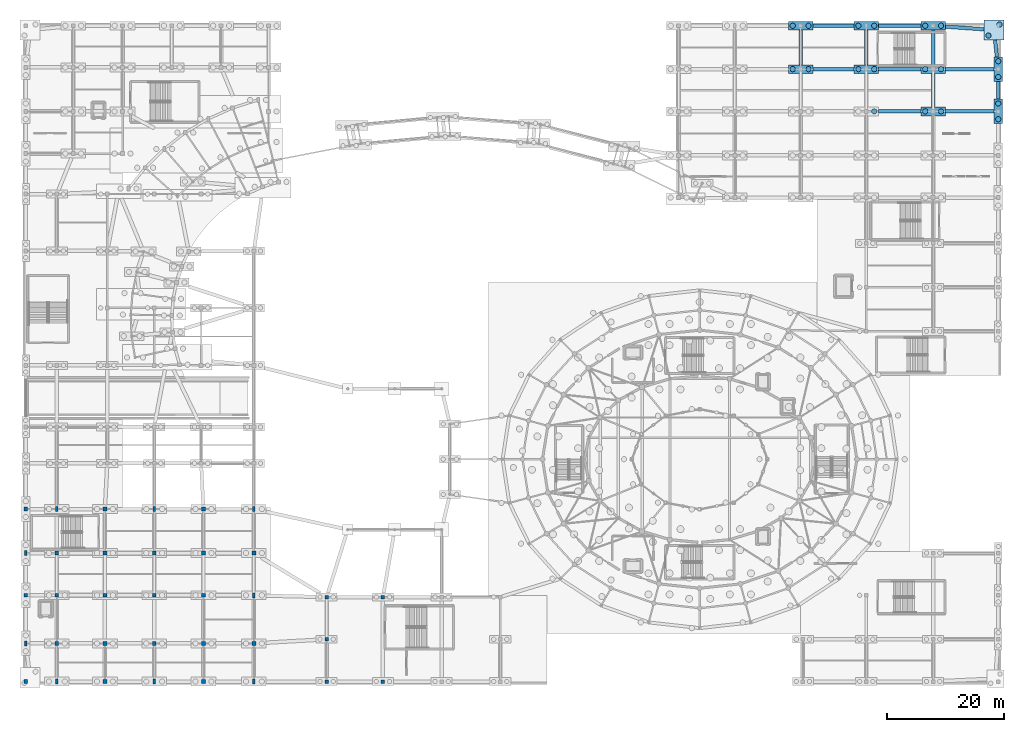
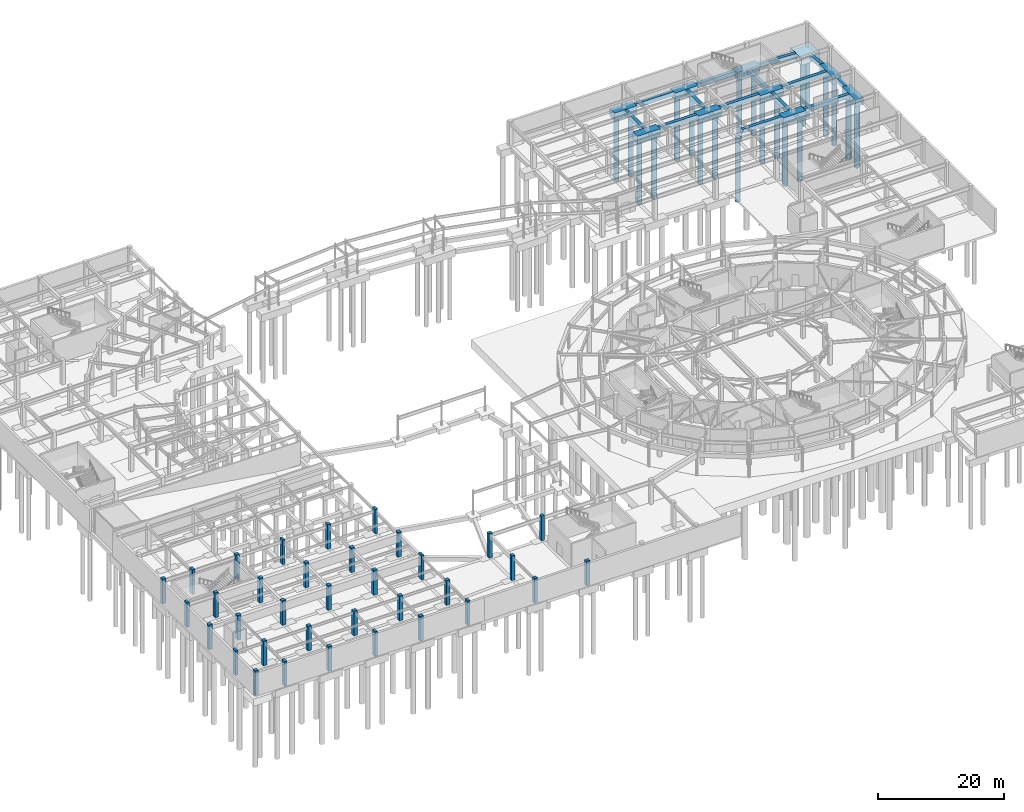
# One storey, part 8 of 68: 35 columns, 24 footings, 21 piles.
"""IFC4 building model written with IfcOpenShell, lengths in metres."""

from ifc_helpers import new_model, si_unit, direction, frame, origin, origin_2d, place, context, subcontext, project, spatial, rectangle, circle, extrude, material, layer, layer_set, material_profile, profile_set, type_object, element, save


model = new_model("IFC4")

# Units and contexts
model_context = context("Model", 3, precision=1e-05, world=origin(), true_north=direction((0.0, 1.0)))
body_context = subcontext(model_context, "Body", "Model", "MODEL_VIEW")
ifc_project = project(units=[si_unit("LENGTHUNIT", "METRE"), si_unit("AREAUNIT", "SQUARE_METRE"), si_unit("VOLUMEUNIT", "CUBIC_METRE"), si_unit("PLANEANGLEUNIT", "RADIAN"), si_unit("MASSUNIT", "GRAM", prefix="KILO")], contexts=[model_context])

# Site, building, storey
site_placement = place(None, origin())
site = spatial("IfcSite", under=ifc_project, at=site_placement, CompositionType="ELEMENT")
building_placement = place(site_placement, origin())
building = spatial("IfcBuilding", under=site, at=building_placement, Name="Cinderbank Siding Concert Hall", CompositionType="ELEMENT")
storey_placement = place(building_placement, frame((0.0, 0.0, -4.800048828125)))
storey = spatial("IfcBuildingStorey", under=building, at=storey_placement, Name="B1", CompositionType="ELEMENT", Elevation=-4.800048828125)

# Piles
ifc_material_1 = material(Name="Reinforced concrete AS 3600 N40 (40 MPa)", Category="concrete")
ifc_material_profile_1 = material_profile(ifc_material_1, circle(Radius=0.449951171875, at=origin_2d()), Name="PILE-900DIA", Category="LoadBearing")
ifc_profile_set_1 = profile_set([ifc_material_profile_1], Name="Reinforced concrete AS 3600 N40 (40 MPa)")
pile_type = type_object("IfcPileType", Name="BP-900 Bored Pile 900mm", PredefinedType="BORED", material=ifc_profile_set_1)
for number, where, z_axis, x_axis, name in (
    (1, (137.85009765625, 110.5, -1.300048828125), (0.0, 0.0, -1.0), (1.0, 0.0, 0.0), "Bored Pile BP-900 #309"),
    (2, (140.550048828125, 110.5, -1.300048828125), (0.0, 0.0, -1.0), (1.0, 0.0, 0.0), "Bored Pile BP-900 #310"),
    (3, (137.85009765625, 117.89990234375, -1.300048828125), (0.0, 0.0, -1.0), (1.0, 0.0, 0.0), "Bored Pile BP-900 #311"),
    (4, (140.550048828125, 117.89990234375, -1.300048828125), (0.0, 0.0, -1.0), (1.0, 0.0, 0.0), "Bored Pile BP-900 #312"),
    (5, (151.75, 103.300048828125, -1.300048828125), (0.0, 0.0, -1.0), (1.0, 0.0, 0.0), "Bored Pile BP-900 #318"),
    (6, (149.050048828125, 110.5, -1.300048828125), (0.0, 0.0, -1.0), (1.0, 0.0, 0.0), "Bored Pile BP-900 #319"),
    (7, (151.75, 110.5, -1.300048828125), (0.0, 0.0, -1.0), (1.0, 0.0, 0.0), "Bored Pile BP-900 #320"),
    (8, (149.050048828125, 117.89990234375, -1.300048828125), (0.0, 0.0, -1.0), (1.0, 0.0, 0.0), "Bored Pile BP-900 #321"),
    (9, (151.75, 117.89990234375, -1.300048828125), (0.0, 0.0, -1.0), (1.0, 0.0, 0.0), "Bored Pile BP-900 #322"),
    (10, (160.449951171875, 103.300048828125, -1.300048828125), (0.0, 0.0, -1.0), (1.0, 0.0, 0.0), "Bored Pile BP-900 #327"),
    (11, (163.14990234375, 103.300048828125, -1.300048828125), (0.0, 0.0, -1.0), (1.0, 0.0, 0.0), "Bored Pile BP-900 #328"),
    (12, (160.449951171875, 110.5, -1.300048828125), (0.0, 0.0, -1.0), (1.0, 0.0, 0.0), "Bored Pile BP-900 #329"),
    (13, (163.14990234375, 110.5, -1.300048828125), (0.0, 0.0, -1.0), (1.0, 0.0, 0.0), "Bored Pile BP-900 #330"),
    (14, (160.449951171875, 117.89990234375, -1.300048828125), (0.0, 0.0, -1.0), (1.0, 0.0, 0.0), "Bored Pile BP-900 #331"),
    (15, (163.14990234375, 117.89990234375, -1.300048828125), (0.0, 0.0, -1.0), (1.0, 0.0, 0.0), "Bored Pile BP-900 #332"),
    (16, (172.89990234375, 101.949951171875, -1.300048828125), (0.0, 0.0, -1.0), (1.0, 0.0, 0.0), "Bored Pile BP-900 #337"),
    (17, (172.89990234375, 104.64990234375, -1.300048828125), (0.0, 0.0, -1.0), (1.0, 0.0, 0.0), "Bored Pile BP-900 #338"),
    (18, (172.89990234375, 109.14990234375, -1.300048828125), (0.0, 0.0, -1.0), (1.0, 0.0, 0.0), "Bored Pile BP-900 #339"),
    (19, (172.89990234375, 111.85009765625, -1.300048828125), (0.0, 0.0, -1.0), (1.0, 0.0, 0.0), "Bored Pile BP-900 #340"),
    (20, (171.219970703125, 116.219970703125, -1.300048828125), (0.0, 0.0, -1.0), (1.0, 0.0, 0.0), "Bored Pile BP-900 #341"),
    (21, (173.1298828125, 118.1298828125, -1.300048828125), (0.0, 0.0, -1.0), (1.0, 0.0, 0.0), "Bored Pile BP-900 #342"),
):
    element("IfcPile", number, at=place(storey_placement, frame(where, z_axis=z_axis, x_axis=x_axis)), inside=storey, type_object=pile_type, Name=name, PredefinedType="BORED", context=body_context, shape_type="SweptSolid", body=[
        extrude(circle(Radius=0.449951171875, at=origin_2d()), origin(), (0.0, 0.0, 1.0), 12.39990234375),
    ])

# Footings
ifc_material_profile_2 = material_profile(ifc_material_1, rectangle(XDim=0.60009765625, YDim=0.800048828125, at=origin_2d()), Name="RC-FB-600x800", Category="LoadBearing")
ifc_profile_set_2 = profile_set([ifc_material_profile_2], Name="Reinforced concrete AS 3600 N40 (40 MPa)")
footing_type_1 = type_object("IfcFootingType", Name="FB-01 Tie Beam 600x800", PredefinedType="FOOTING_BEAM", material=ifc_profile_set_2)
footing_1_placement = place(storey_placement, frame((141.284912109375, 110.5, -0.39990234375), z_axis=(1.0, 0.0, 0.0), x_axis=(0.0, 1.0, 0.0)))
element("IfcFooting", 22, at=footing_1_placement, inside=storey, type_object=footing_type_1, Name="Foundation Tie Beam #102", PredefinedType="FOOTING_BEAM", context=body_context, shape_type="SweptSolid", body=[
    extrude(rectangle(XDim=0.60009765625, YDim=0.800048828125, at=origin_2d()), origin(), (0.0, 0.0, 1.0), 7.030029296875),
])
footing_2_placement = place(storey_placement, frame((139.199951171875, 111.235107421875, -0.39990234375), z_axis=(0.0, 1.0, 0.0), x_axis=(-1.0, 0.0, 0.0)))
element("IfcFooting", 23, at=footing_2_placement, inside=storey, type_object=footing_type_1, Name="Foundation Tie Beam #103", PredefinedType="FOOTING_BEAM", context=body_context, shape_type="SweptSolid", body=[
    extrude(rectangle(XDim=0.60009765625, YDim=0.800048828125, at=origin_2d()), origin(), (0.0, 0.0, 1.0), 5.929931640625),
])
footing_3_placement = place(storey_placement, frame((141.284912109375, 117.89990234375, -0.39990234375), z_axis=(1.0, 0.0, 0.0), x_axis=(0.0, 1.0, 0.0)))
element("IfcFooting", 24, at=footing_3_placement, inside=storey, type_object=footing_type_1, Name="Foundation Tie Beam #104", PredefinedType="FOOTING_BEAM", context=body_context, shape_type="SweptSolid", body=[
    extrude(rectangle(XDim=0.60009765625, YDim=0.800048828125, at=origin_2d()), origin(), (0.0, 0.0, 1.0), 7.030029296875),
])
for number, where, z_axis, x_axis, name in (
    (25, (152.485107421875, 103.300048828125, -0.39990234375), (1.0, 0.0, 0.0), (0.0, 1.0, 0.0), "Foundation Tie Beam #109"),
    (26, (152.485107421875, 110.5, -0.39990234375), (1.0, 0.0, 0.0), (0.0, 1.0, 0.0), "Foundation Tie Beam #111"),
):
    element("IfcFooting", number, at=place(storey_placement, frame(where, z_axis=z_axis, x_axis=x_axis)), inside=storey, type_object=footing_type_1, Name=name, PredefinedType="FOOTING_BEAM", context=body_context, shape_type="SweptSolid", body=[
        extrude(rectangle(XDim=0.60009765625, YDim=0.800048828125, at=origin_2d()), origin(), (0.0, 0.0, 1.0), 7.22998046875),
    ])
footing_4_placement = place(storey_placement, frame((150.39990234375, 111.235107421875, -0.39990234375), z_axis=(0.0, 1.0, 0.0), x_axis=(-1.0, 0.0, 0.0)))
element("IfcFooting", 27, at=footing_4_placement, inside=storey, type_object=footing_type_1, Name="Foundation Tie Beam #112", PredefinedType="FOOTING_BEAM", context=body_context, shape_type="SweptSolid", body=[
    extrude(rectangle(XDim=0.60009765625, YDim=0.800048828125, at=origin_2d()), origin(), (0.0, 0.0, 1.0), 5.929931640625),
])
footing_5_placement = place(storey_placement, frame((152.485107421875, 117.89990234375, -0.39990234375), z_axis=(1.0, 0.0, 0.0), x_axis=(0.0, 1.0, 0.0)))
element("IfcFooting", 28, at=footing_5_placement, inside=storey, type_object=footing_type_1, Name="Foundation Tie Beam #113", PredefinedType="FOOTING_BEAM", context=body_context, shape_type="SweptSolid", body=[
    extrude(rectangle(XDim=0.60009765625, YDim=0.800048828125, at=origin_2d()), origin(), (0.0, 0.0, 1.0), 7.22998046875),
])
footing_6_placement = place(storey_placement, frame((163.885009765625, 103.300048828125, -0.39990234375), z_axis=(1.0, 0.0, 0.0), x_axis=(0.0, 1.0, 0.0)))
element("IfcFooting", 29, at=footing_6_placement, inside=storey, type_object=footing_type_1, Name="Foundation Tie Beam #118", PredefinedType="FOOTING_BEAM", context=body_context, shape_type="SweptSolid", body=[
    extrude(rectangle(XDim=0.60009765625, YDim=0.800048828125, at=origin_2d()), origin(), (0.0, 0.0, 1.0), 8.280029296875),
])
footing_7_placement = place(storey_placement, frame((161.800048828125, 104.034912109375, -0.39990234375), z_axis=(0.0, 1.0, 0.0), x_axis=(-1.0, 0.0, 0.0)))
element("IfcFooting", 30, at=footing_7_placement, inside=storey, type_object=footing_type_1, Name="Foundation Tie Beam #119", PredefinedType="FOOTING_BEAM", context=body_context, shape_type="SweptSolid", body=[
    extrude(rectangle(XDim=0.60009765625, YDim=0.800048828125, at=origin_2d()), origin(), (0.0, 0.0, 1.0), 5.72998046875),
])
footing_8_placement = place(storey_placement, frame((163.885009765625, 110.5, -0.39990234375), z_axis=(1.0, 0.0, 0.0), x_axis=(0.0, 1.0, 0.0)))
element("IfcFooting", 31, at=footing_8_placement, inside=storey, type_object=footing_type_1, Name="Foundation Tie Beam #120", PredefinedType="FOOTING_BEAM", context=body_context, shape_type="SweptSolid", body=[
    extrude(rectangle(XDim=0.60009765625, YDim=0.800048828125, at=origin_2d()), origin(), (0.0, 0.0, 1.0), 8.280029296875),
])
footing_9_placement = place(storey_placement, frame((161.800048828125, 111.235107421875, -0.39990234375), z_axis=(0.0, 1.0, 0.0), x_axis=(-1.0, 0.0, 0.0)))
element("IfcFooting", 32, at=footing_9_placement, inside=storey, type_object=footing_type_1, Name="Foundation Tie Beam #121", PredefinedType="FOOTING_BEAM", context=body_context, shape_type="SweptSolid", body=[
    extrude(rectangle(XDim=0.60009765625, YDim=0.800048828125, at=origin_2d()), origin(), (0.0, 0.0, 1.0), 5.929931640625),
])
footing_10_placement = place(storey_placement, frame((163.885009765625, 117.75439453125, -0.39990234375), z_axis=(0.997567647503, -0.069705011694, 0.0), x_axis=(0.069705011694, 0.997567647503, 0.0)))
element("IfcFooting", 33, at=footing_10_placement, inside=storey, type_object=footing_type_1, Name="Foundation Tie Beam #122", PredefinedType="FOOTING_BEAM", context=body_context, shape_type="SweptSolid", body=[
    extrude(rectangle(XDim=0.60009765625, YDim=0.800048828125, at=origin_2d()), origin(), (0.0, 0.0, 1.0), 6.6162109375),
])
footing_11_placement = place(storey_placement, frame((172.89990234375, 105.385009765625, -0.39990234375), z_axis=(0.0, 1.0, 0.0), x_axis=(-1.0, 0.0, 0.0)))
element("IfcFooting", 34, at=footing_11_placement, inside=storey, type_object=footing_type_1, Name="Foundation Tie Beam #125", PredefinedType="FOOTING_BEAM", context=body_context, shape_type="SweptSolid", body=[
    extrude(rectangle(XDim=0.60009765625, YDim=0.800048828125, at=origin_2d()), origin(), (0.0, 0.0, 1.0), 3.030029296875),
])
footing_12_placement = place(storey_placement, frame((172.673583984375, 112.585205078125, -0.39990234375), z_axis=(-0.10797825214, 0.994153256327, 0.0), x_axis=(-0.994153256327, -0.10797825214, 0.0)))
element("IfcFooting", 35, at=footing_12_placement, inside=storey, type_object=footing_type_1, Name="Foundation Tie Beam #126", PredefinedType="FOOTING_BEAM", context=body_context, shape_type="SweptSolid", body=[
    extrude(rectangle(XDim=0.60009765625, YDim=0.800048828125, at=origin_2d()), origin(), (0.0, 0.0, 1.0), 2.916748046875),
])
ifc_layer_1 = layer(ifc_material_1, 1.39990234375)
ifc_layer_set_1 = layer_set([ifc_layer_1], Name="Reinforced concrete AS 3600 N40 (40 MPa)")
footing_type_2 = type_object("IfcFootingType", Name="PC-05 Pile Cap 4200x1500x1400", PredefinedType="PILE_CAP", material=ifc_layer_set_1)
for number, where, z_axis, x_axis, name in (
    (36, (139.199951171875, 110.5, -1.39990234375), (0.0, 0.0, 1.0), (1.0, 0.0, 0.0), "Pile Cap PC-05 #60"),
    (37, (139.199951171875, 117.89990234375, -1.39990234375), (0.0, 0.0, 1.0), (1.0, 0.0, 0.0), "Pile Cap PC-05 #61"),
    (38, (150.39990234375, 110.5, -1.39990234375), (0.0, 0.0, 1.0), (1.0, 0.0, 0.0), "Pile Cap PC-05 #65"),
    (39, (150.39990234375, 117.89990234375, -1.39990234375), (0.0, 0.0, 1.0), (1.0, 0.0, 0.0), "Pile Cap PC-05 #66"),
    (40, (161.800048828125, 103.300048828125, -1.39990234375), (0.0, 0.0, 1.0), (1.0, 0.0, 0.0), "Pile Cap PC-05 #69"),
    (41, (161.800048828125, 110.5, -1.39990234375), (0.0, 0.0, 1.0), (1.0, 0.0, 0.0), "Pile Cap PC-05 #70"),
    (42, (161.800048828125, 117.89990234375, -1.39990234375), (0.0, 0.0, 1.0), (1.0, 0.0, 0.0), "Pile Cap PC-05 #71"),
):
    element("IfcFooting", number, at=place(storey_placement, frame(where, z_axis=z_axis, x_axis=x_axis)), inside=storey, type_object=footing_type_2, Name=name, PredefinedType="PILE_CAP", context=body_context, shape_type="SweptSolid", body=[
        extrude(rectangle(XDim=4.199951171875, YDim=1.5, at=origin_2d()), origin(), (0.0, 0.0, 1.0), 1.39990234375),
    ])
ifc_layer_2 = layer(ifc_material_1, 1.39990234375)
ifc_layer_set_2 = layer_set([ifc_layer_2], Name="Reinforced concrete AS 3600 N40 (40 MPa)")
footing_type_3 = type_object("IfcFootingType", Name="PC-10 Pile Cap 3410x3410x1400", PredefinedType="PILE_CAP", material=ifc_layer_set_2)
footing_13_placement = place(storey_placement, frame((172.175048828125, 117.175048828125, -1.39990234375), z_axis=(0.0, 0.0, 1.0), x_axis=(1.0, 0.0, 0.0)))
element("IfcFooting", 43, at=footing_13_placement, inside=storey, type_object=footing_type_3, Name="Pile Cap PC-10 #76", PredefinedType="PILE_CAP", context=body_context, shape_type="SweptSolid", body=[
    extrude(rectangle(XDim=3.409912109375, YDim=3.409912109375, at=origin_2d()), origin(), (0.0, 0.0, 1.0), 1.39990234375),
])
ifc_layer_3 = layer(ifc_material_1, 1.39990234375)
ifc_layer_set_3 = layer_set([ifc_layer_3], Name="Reinforced concrete AS 3600 N40 (40 MPa)")
footing_type_4 = type_object("IfcFootingType", Name="PC-11 Pile Cap 1500x4200x1400", PredefinedType="PILE_CAP", material=ifc_layer_set_3)
for number, where, z_axis, x_axis, name in (
    (44, (172.89990234375, 103.300048828125, -1.39990234375), (0.0, 0.0, 1.0), (1.0, 0.0, 0.0), "Pile Cap PC-11 #74"),
    (45, (172.89990234375, 110.5, -1.39990234375), (0.0, 0.0, 1.0), (1.0, 0.0, 0.0), "Pile Cap PC-11 #75"),
):
    element("IfcFooting", number, at=place(storey_placement, frame(where, z_axis=z_axis, x_axis=x_axis)), inside=storey, type_object=footing_type_4, Name=name, PredefinedType="PILE_CAP", context=body_context, shape_type="SweptSolid", body=[
        extrude(rectangle(XDim=1.5, YDim=4.199951171875, at=origin_2d()), origin(), (0.0, 0.0, 1.0), 1.39990234375),
    ])

# Columns
ifc_material_2 = material(Name="Reinforced concrete AS 3600 N50 (50 MPa)", Category="concrete")
ifc_material_profile_3 = material_profile(ifc_material_2, rectangle(XDim=0.60009765625, YDim=0.60009765625, at=origin_2d()), Name="RC-COL-600x600", Category="LoadBearing")
ifc_profile_set_3 = profile_set([ifc_material_profile_3], Name="Reinforced concrete AS 3600 N50 (50 MPa)")
column_type_1 = type_object("IfcColumnType", Name="C-RC600 RC-COL-600x600", PredefinedType="COLUMN", material=ifc_profile_set_3)
for number, where, z_axis, x_axis, name in (
    (46, (58.39990234375, 6.10009765625, 0.0), (0.0, 0.0, 1.0), (1.0, 0.0, 0.0), "B1 Column COL-SL-1-1"),
    (47, (58.39990234375, 13.300048828125, 0.0), (0.0, 0.0, 1.0), (1.0, 0.0, 0.0), "B1 Column COL-SL-1-2"),
    (48, (58.39990234375, 20.5, 0.0), (0.0, 0.0, 1.0), (1.0, 0.0, 0.0), "B1 Column COL-SL-1-3"),
    (49, (68.0, 6.10009765625, 0.0), (0.0, 0.0, 1.0), (1.0, 0.0, 0.0), "B1 Column COL-SL-2-1"),
    (50, (68.0, 20.5, 0.0), (0.0, 0.0, 1.0), (1.0, 0.0, 0.0), "B1 Column COL-SL-2-3"),
):
    element("IfcColumn", number, at=place(storey_placement, frame(where, z_axis=z_axis, x_axis=x_axis)), inside=storey, type_object=column_type_1, Name=name, PredefinedType="COLUMN", context=body_context, shape_type="SweptSolid", body=[
        extrude(rectangle(XDim=0.60009765625, YDim=0.60009765625, at=origin_2d()), origin(), (0.0, 0.0, 1.0), 4.800048828125),
    ])
ifc_material_profile_4 = material_profile(ifc_material_2, rectangle(XDim=0.64990234375, YDim=0.64990234375, at=origin_2d()), Name="RC-COL-650x650", Category="LoadBearing")
ifc_profile_set_4 = profile_set([ifc_material_profile_4], Name="Reinforced concrete AS 3600 N50 (50 MPa)")
column_type_2 = type_object("IfcColumnType", Name="C-RC650 RC-COL-650x650", PredefinedType="COLUMN", material=ifc_profile_set_4)
for number, where, z_axis, x_axis, name in (
    (51, (7.10009765625, 6.10009765625, 0.0), (0.0, 0.0, 1.0), (1.0, 0.0, 0.0), "B1 Column COL-V2-1-1"),
    (52, (7.10009765625, 20.800048828125, 0.0), (0.0, 0.0, 1.0), (1.0, 0.0, 0.0), "B1 Column COL-V2-1-3"),
    (53, (7.10009765625, 35.5, 0.0), (0.0, 0.0, 1.0), (1.0, 0.0, 0.0), "B1 Column COL-V2-1-5"),
    (54, (12.39990234375, 12.60009765625, 0.0), (0.0, 0.0, 1.0), (1.0, 0.0, 0.0), "B1 Column COL-V2-2-2"),
    (55, (12.39990234375, 20.800048828125, 0.0), (0.0, 0.0, 1.0), (1.0, 0.0, 0.0), "B1 Column COL-V2-2-3"),
    (56, (12.39990234375, 28.0, 0.0), (0.0, 0.0, 1.0), (1.0, 0.0, 0.0), "B1 Column COL-V2-2-4"),
    (57, (20.60009765625, 6.10009765625, 0.0), (0.0, 0.0, 1.0), (1.0, 0.0, 0.0), "B1 Column COL-V2-3-1"),
    (58, (20.60009765625, 12.60009765625, 0.0), (0.0, 0.0, 1.0), (1.0, 0.0, 0.0), "B1 Column COL-V2-3-2"),
    (59, (20.60009765625, 20.800048828125, 0.0), (0.0, 0.0, 1.0), (1.0, 0.0, 0.0), "B1 Column COL-V2-3-3"),
    (60, (20.60009765625, 28.0, 0.0), (0.0, 0.0, 1.0), (1.0, 0.0, 0.0), "B1 Column COL-V2-3-4"),
    (61, (20.60009765625, 35.5, 0.0), (0.0, 0.0, 1.0), (1.0, 0.0, 0.0), "B1 Column COL-V2-3-5"),
    (62, (29.0, 12.60009765625, 0.0), (0.0, 0.0, 1.0), (1.0, 0.0, 0.0), "B1 Column COL-V2-4-2"),
    (63, (29.0, 20.800048828125, 0.0), (0.0, 0.0, 1.0), (1.0, 0.0, 0.0), "B1 Column COL-V2-4-3"),
    (64, (29.0, 28.0, 0.0), (0.0, 0.0, 1.0), (1.0, 0.0, 0.0), "B1 Column COL-V2-4-4"),
    (65, (37.39990234375, 6.10009765625, 0.0), (0.0, 0.0, 1.0), (1.0, 0.0, 0.0), "B1 Column COL-V2-5-1"),
    (66, (37.39990234375, 12.60009765625, 0.0), (0.0, 0.0, 1.0), (1.0, 0.0, 0.0), "B1 Column COL-V2-5-2"),
    (67, (37.39990234375, 20.800048828125, 0.0), (0.0, 0.0, 1.0), (1.0, 0.0, 0.0), "B1 Column COL-V2-5-3"),
    (68, (37.39990234375, 28.0, 0.0), (0.0, 0.0, 1.0), (1.0, 0.0, 0.0), "B1 Column COL-V2-5-4"),
    (69, (37.39990234375, 35.5, 0.0), (0.0, 0.0, 1.0), (1.0, 0.0, 0.0), "B1 Column COL-V2-5-5"),
    (70, (46.0, 12.60009765625, 0.0), (0.0, 0.0, 1.0), (1.0, 0.0, 0.0), "B1 Column COL-V2-6-2"),
    (71, (46.0, 28.0, 0.0), (0.0, 0.0, 1.0), (1.0, 0.0, 0.0), "B1 Column COL-V2-6-4"),
):
    element("IfcColumn", number, at=place(storey_placement, frame(where, z_axis=z_axis, x_axis=x_axis)), inside=storey, type_object=column_type_2, Name=name, PredefinedType="COLUMN", context=body_context, shape_type="SweptSolid", body=[
        extrude(rectangle(XDim=0.64990234375, YDim=0.64990234375, at=origin_2d()), origin(), (0.0, 0.0, 1.0), 4.800048828125),
    ])
ifc_material_profile_5 = material_profile(ifc_material_2, rectangle(XDim=0.449951171875, YDim=0.85009765625, at=origin_2d()), Name="RC-PIER-450x850", Category="LoadBearing")
ifc_profile_set_5 = profile_set([ifc_material_profile_5], Name="Reinforced concrete AS 3600 N50 (50 MPa)")
column_type_3 = type_object("IfcColumnType", Name="PL-RC850 RC-PIER-450x850", PredefinedType="PILASTER", material=ifc_profile_set_5)
for number, where, z_axis, x_axis, name in (
    (72, (7.10009765625, 12.60009765625, 0.0), (0.0, 0.0, 1.0), (1.0, 0.0, 0.0), "B1 Column COL-V2-1-2"),
    (73, (7.10009765625, 28.0, 0.0), (0.0, 0.0, 1.0), (1.0, 0.0, 0.0), "B1 Column COL-V2-1-4"),
    (74, (12.39990234375, 6.10009765625, 0.0), (0.0, 0.0, 1.0), (1.0, 0.0, 0.0), "B1 Column COL-V2-2-1"),
    (75, (12.39990234375, 35.5, 0.0), (0.0, 0.0, 1.0), (1.0, 0.0, 0.0), "B1 Column COL-V2-2-5"),
    (76, (29.0, 6.10009765625, 0.0), (0.0, 0.0, 1.0), (1.0, 0.0, 0.0), "B1 Column COL-V2-4-1"),
    (77, (29.0, 35.5, 0.0), (0.0, 0.0, 1.0), (1.0, 0.0, 0.0), "B1 Column COL-V2-4-5"),
    (78, (46.0, 6.10009765625, 0.0), (0.0, 0.0, 1.0), (1.0, 0.0, 0.0), "B1 Column COL-V2-6-1"),
    (79, (46.0, 20.800048828125, 0.0), (0.0, 0.0, 1.0), (1.0, 0.0, 0.0), "B1 Column COL-V2-6-3"),
    (80, (46.0, 35.5, 0.0), (0.0, 0.0, 1.0), (1.0, 0.0, 0.0), "B1 Column COL-V2-6-5"),
):
    element("IfcColumn", number, at=place(storey_placement, frame(where, z_axis=z_axis, x_axis=x_axis)), inside=storey, type_object=column_type_3, Name=name, PredefinedType="PILASTER", context=body_context, shape_type="SweptSolid", body=[
        extrude(rectangle(XDim=0.449951171875, YDim=0.85009765625, at=origin_2d()), origin(), (0.0, 0.0, 1.0), 4.800048828125),
    ])

save(model, "model.ifc")
